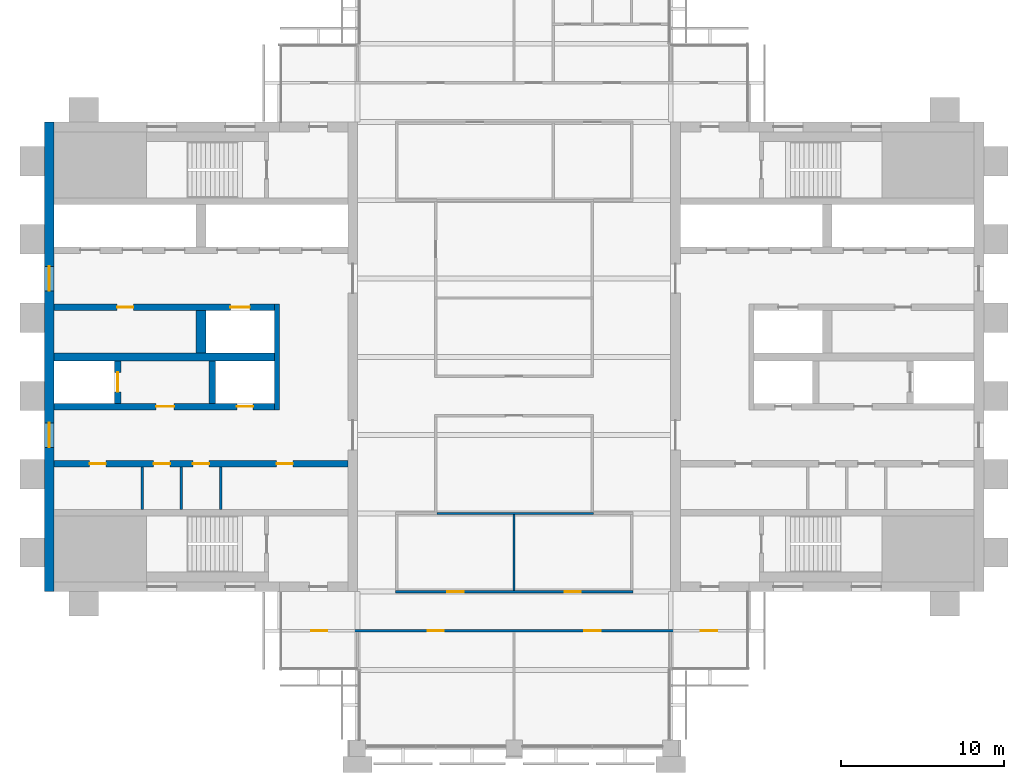
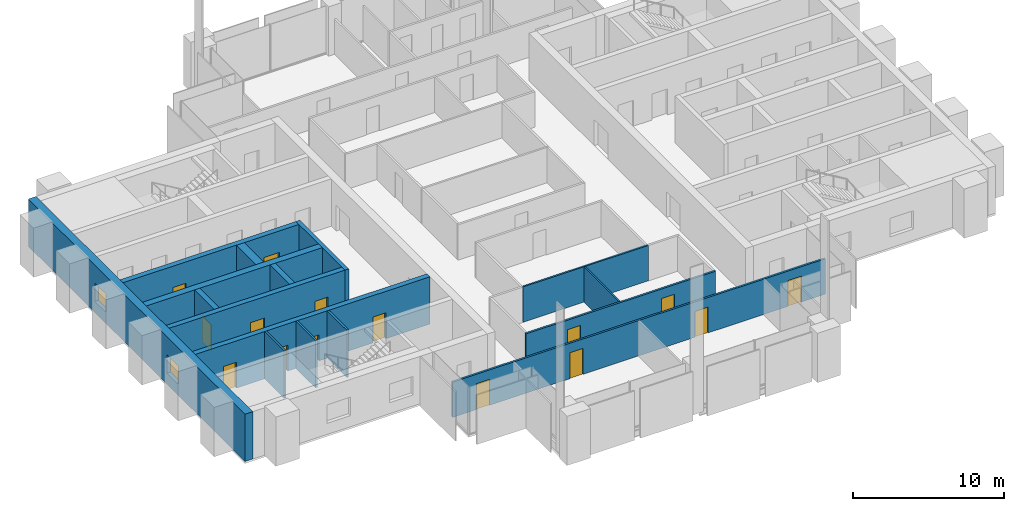
# One storey, part 8 of 13: 16 walls, 15 doors, 2 windows, 17 openings.
"""IFC4 building model written with IfcOpenShell, lengths in metres."""

import ifcopenshell
import ifcopenshell.guid

model = None  # the IFC model being written
_history = None  # IfcOwnerHistory: only IFC2X3 demands one
_inside = {}  # id of a spatial element -> (the spatial element, [elements in it])
_under = {}  # id of a project, library or spatial element -> (it, [spatial elements below it])
_declared = {}  # id of a project -> (the project, [libraries it declares])
_typed = {}  # id of a type object -> (the type object, [elements of that type])
_made_of = {}  # id of a material, layer set ... -> (it, [elements and type objects made of it])


def new_model(schema):
    """Start an empty IFC model of exactly this schema.

    Asked for "IFC4X3", IfcOpenShell would pick the latest addendum, in which some entities
    have other attributes; the version numbers below select the first issue.
    IFC2X3 requires an IfcOwnerHistory on every rooted entity: one is made here for all.
    """
    global model, _history
    if schema == "IFC4X3":
        model = ifcopenshell.file(schema_version=(4, 3, 0, 0))
    else:
        model = ifcopenshell.file(schema=schema)
    _inside.clear()
    _under.clear()
    _declared.clear()
    _typed.clear()
    _made_of.clear()
    _history = None
    if model.schema == "IFC2X3":
        org = make("IfcOrganization", Name="unknown")
        user = make(
            "IfcPersonAndOrganization",
            ThePerson=make("IfcPerson", FamilyName="unknown"),
            TheOrganization=org,
        )
        app = make(
            "IfcApplication",
            ApplicationDeveloper=org,
            Version="unknown",
            ApplicationFullName="unknown",
            ApplicationIdentifier="unknown",
        )
        _history = make(
            "IfcOwnerHistory",
            OwningUser=user,
            OwningApplication=app,
            ChangeAction="ADDED",
            CreationDate=0,
        )
    return model


def make(cls, **values):
    """One entity of the class cls with the attributes given. An attribute that is None is left unset."""
    return model.create_entity(
        cls, **{name: value for name, value in values.items() if value is not None}
    )


def rooted(cls, **values):
    """An entity with a GlobalId (a new one), such as an element, a storey or a relation."""
    return make(cls, GlobalId=ifcopenshell.guid.new(), OwnerHistory=_history, **values)


def si_unit(unit_type, name, prefix=None):
    """IfcSIUnit, for example si_unit("LENGTHUNIT", "METRE", prefix="MILLI")."""
    return make("IfcSIUnit", UnitType=unit_type, Prefix=prefix, Name=name)


def assignment(units):
    """IfcUnitAssignment: the units of a project."""
    return None if units is None else make("IfcUnitAssignment", Units=units)


def point(xyz):
    """IfcCartesianPoint."""
    return None if xyz is None else make("IfcCartesianPoint", Coordinates=xyz)


def direction(xyz):
    """IfcDirection."""
    return None if xyz is None else make("IfcDirection", DirectionRatios=xyz)


def frame(location, z_axis=None, x_axis=None):
    """IfcAxis2Placement3D, a coordinate frame: its origin and axes. An axis left out is left unset."""
    return make(
        "IfcAxis2Placement3D",
        Location=point(location),
        Axis=direction(z_axis),
        RefDirection=direction(x_axis),
    )


def frame_2d(location, x_axis=None):
    """IfcAxis2Placement2D, a coordinate frame in the plane: its origin and x axis."""
    return make(
        "IfcAxis2Placement2D", Location=point(location), RefDirection=direction(x_axis)
    )


def origin():
    """The frame at (0, 0, 0) with its axes left unset."""
    return frame((0.0, 0.0, 0.0))


def place(relative_to, where):
    """IfcLocalPlacement: puts the frame where relative to a parent placement (None: the world)."""
    return make(
        "IfcLocalPlacement", PlacementRelTo=relative_to, RelativePlacement=where
    )


def context(
    kind, dimensions, precision=None, world=None, true_north=None, identifier=None
):
    """IfcGeometricRepresentationContext, for example the 3D "Model" context."""
    return make(
        "IfcGeometricRepresentationContext",
        ContextIdentifier=identifier,
        ContextType=kind,
        CoordinateSpaceDimension=dimensions,
        Precision=precision,
        WorldCoordinateSystem=world,
        TrueNorth=true_north,
    )


def subcontext(parent, identifier, kind, view, scale=None):
    """IfcGeometricRepresentationSubContext, for example "Body" below "Model"."""
    return make(
        "IfcGeometricRepresentationSubContext",
        ContextIdentifier=identifier,
        ContextType=kind,
        ParentContext=parent,
        TargetScale=scale,
        TargetView=view,
    )


def project(units=None, contexts=None):
    """IfcProject with its units and contexts."""
    return rooted(
        "IfcProject",
        Name="project",
        RepresentationContexts=contexts,
        UnitsInContext=assignment(units),
    )


def spatial(cls, under=None, at=None, **own):
    """A site, building, storey or space (cls), placed at a placement, below another one or the project."""
    s = rooted(cls, ObjectPlacement=at, **own)
    if under is not None:
        _under.setdefault(under.id(), (under, []))[1].append(s)
    return s


def profile(cls, at=None, kind="AREA", **sizes):
    """A parametric profile (cls). Its sizes go by their IFC names, for example OverallWidth=200.0."""
    return make(cls, ProfileType=kind, Position=at, **sizes)


def rectangle(**sizes):
    """IfcRectangleProfileDef."""
    return profile("IfcRectangleProfileDef", **sizes)


def extrude(swept, where, along, depth):
    """IfcExtrudedAreaSolid: the profile swept, set in the frame where, extruded along a direction by depth."""
    return make(
        "IfcExtrudedAreaSolid",
        SweptArea=swept,
        Position=where,
        ExtrudedDirection=direction(along),
        Depth=depth,
    )


def shape(context_of_items, identifier, shape_type, items):
    """IfcShapeRepresentation: the items that make up one representation, for example the "Body"."""
    return make(
        "IfcShapeRepresentation",
        ContextOfItems=context_of_items,
        RepresentationIdentifier=identifier,
        RepresentationType=shape_type,
        Items=items,
    )


def material(Name=None, Category=None):
    """IfcMaterial."""
    return make("IfcMaterial", Name=Name, Category=Category)


def layer(
    of_material, thickness, ventilated=None, Name=None, Category=None, Priority=None
):
    """IfcMaterialLayer: one layer of a wall or slab, of a material (None: an air gap)."""
    return make(
        "IfcMaterialLayer",
        Material=of_material,
        LayerThickness=thickness,
        IsVentilated=ventilated,
        Name=Name,
        Category=Category,
        Priority=Priority,
    )


def layer_set(layers, Name=None):
    """IfcMaterialLayerSet."""
    return make("IfcMaterialLayerSet", MaterialLayers=layers, LayerSetName=Name)


def made_of(thing, what):
    """Note that an element or type object is made of a material, layer set ...; save() writes the relation."""
    if what is not None:
        _made_of.setdefault(what.id(), (what, []))[1].append(thing)
    return thing


def type_object(cls, material=None, **own):
    """A type object (cls), such as IfcWallType, which elements share."""
    return made_of(rooted(cls, **own), material)


def element(
    cls,
    number,
    at=None,
    inside=None,
    cuts=None,
    type_object=None,
    material=None,
    context=None,
    identifier="Body",
    shape_type=None,
    held_by="IfcProductDefinitionShape",
    body=None,
    shapes=None,
    **own,
):
    """One element of the class cls, such as IfcWall. Its Tag is "e" and its number.

    at: its placement. inside: the storey or other place that contains it. cuts: it is an
    opening in that element (IfcRelVoidsElement). A single representation is given by context,
    identifier, shape_type and body (its items); several are given by shapes. held_by: the class
    of the entity that holds the representations. save() writes the other relations.
    """
    e = rooted(cls, Tag="e%d" % number, ObjectPlacement=at, **own)
    if body is not None:
        shapes = [shape(context, identifier, shape_type, body)]
    if shapes is not None:
        e.Representation = make(held_by, Representations=shapes)
    if inside is not None:
        _inside.setdefault(inside.id(), (inside, []))[1].append(e)
    if cuts is not None:
        rooted(
            "IfcRelVoidsElement", RelatingBuildingElement=cuts, RelatedOpeningElement=e
        )
    if type_object is not None:
        _typed.setdefault(type_object.id(), (type_object, []))[1].append(e)
    return made_of(e, material)


def fill(opening, filler):
    """IfcRelFillsElement: the door or window that sits in an opening."""
    return rooted(
        "IfcRelFillsElement",
        RelatingOpeningElement=opening,
        RelatedBuildingElement=filler,
    )


def aggregate(whole, parts):
    """IfcRelAggregates: a whole, such as a stair, and the parts it consists of."""
    return rooted("IfcRelAggregates", RelatingObject=whole, RelatedObjects=parts)


def save(model, path):
    """Write the relations noted so far, then the file.

    IfcRelAggregates (storeys below a building ...), IfcRelContainedInSpatialStructure (elements
    in a storey), IfcRelDefinesByType, IfcRelAssociatesMaterial and IfcRelDeclares: one each for
    every whole, place, type object, material and project.
    """
    for whole, parts in _under.values():
        aggregate(whole, parts)
    for where, things in _inside.values():
        rooted(
            "IfcRelContainedInSpatialStructure",
            RelatedElements=things,
            RelatingStructure=where,
        )
    for kind, things in _typed.values():
        rooted("IfcRelDefinesByType", RelatedObjects=things, RelatingType=kind)
    for what, things in _made_of.values():
        rooted("IfcRelAssociatesMaterial", RelatedObjects=things, RelatingMaterial=what)
    for by, libraries in _declared.values():
        rooted("IfcRelDeclares", RelatingContext=by, RelatedDefinitions=libraries)
    model.write(path)


model = new_model("IFC4")

# Units and contexts
model_context = context("Model", 3, precision=1e-05, world=origin(), true_north=direction((0.0, 1.0)))
body_context = subcontext(model_context, "Body", "Model", "MODEL_VIEW")
ifc_project = project(units=[si_unit("LENGTHUNIT", "METRE"), si_unit("AREAUNIT", "SQUARE_METRE"), si_unit("VOLUMEUNIT", "CUBIC_METRE"), si_unit("PLANEANGLEUNIT", "RADIAN"), si_unit("MASSUNIT", "GRAM", prefix="KILO")], contexts=[model_context])

# Site, building, storey
site_placement = place(None, origin())
site = spatial("IfcSite", under=ifc_project, at=site_placement, CompositionType="ELEMENT")
building_placement = place(site_placement, origin())
building = spatial("IfcBuilding", under=site, at=building_placement, Name="Baori Bourse Tower", CompositionType="ELEMENT")
storey_placement = place(building_placement, frame((0.0, 0.0, 318.300048828125)))
storey = spatial("IfcBuildingStorey", under=building, at=storey_placement, Name="L70", CompositionType="ELEMENT", Elevation=318.300048828125)

# Walls
ifc_material_1 = material(Name="Blockwork partition", Category="masonry")
ifc_layer_1 = layer(ifc_material_1, 0.14990234375)
ifc_layer_set_1 = layer_set([ifc_layer_1], Name="Core partition 150")
wall_type_1 = type_object("IfcWallType", Name="Core partition 150", PredefinedType="PARTITIONING", material=ifc_layer_set_1)
for number, where, z_axis, x_axis, name in (
    (1, (6.0, 14.64990234375, 0.0), (0.0, 0.0, 1.0), (0.0, 1.0, 0.0), "Partition wall W09"),
    (2, (8.39990234375, 14.64990234375, 0.0), (0.0, 0.0, 1.0), (0.0, 1.0, 0.0), "Partition wall W10"),
    (3, (10.800048828125, 14.64990234375, 0.0), (0.0, 0.0, 1.0), (0.0, 1.0, 0.0), "Partition wall W11"),
):
    element("IfcWall", number, at=place(storey_placement, frame(where, z_axis=z_axis, x_axis=x_axis)), inside=storey, type_object=wall_type_1, Name=name, PredefinedType="PARTITIONING", context=body_context, shape_type="SweptSolid", body=[
        extrude(rectangle(XDim=2.60009765625, YDim=0.14990234375, at=frame_2d((1.300048828125, 0.0))), origin(), (0.0, 0.0, 1.0), 3.83984375),
    ])

# Wall, openings, windows
ifc_material_2 = material(Name="Concrete f'c 40 MPa", Category="concrete")
ifc_layer_2 = layer(ifc_material_2, 0.60009765625)
ifc_layer_set_2 = layer_set([ifc_layer_2], Name="Core wall 600 f'c 40")
wall_type_2 = type_object("IfcWallType", Name="Core wall 600 f'c 40", PredefinedType="SHEAR", material=ifc_layer_set_2)
wall_1_placement = place(storey_placement, frame((0.300048828125, 9.60009765625, 0.0), z_axis=(0.0, 0.0, 1.0), x_axis=(0.0, 1.0, 0.0)))
wall_1 = element("IfcWall", 4, at=wall_1_placement, inside=storey, type_object=wall_type_2, Name="Core wall W01", PredefinedType="SHEAR", context=body_context, shape_type="SweptSolid", body=[
    extrude(rectangle(XDim=28.7998046875, YDim=0.60009765625, at=frame_2d((14.39990234375, 0.0))), origin(), (0.0, 0.0, 1.0), 3.83984375),
])
opening_1_placement = place(wall_1_placement, frame((8.85009765625, 0.0, 0.89990234375)))
opening_1 = element("IfcOpeningElement", 5, at=opening_1_placement, cuts=wall_1, Name="Opening L70-KW101", PredefinedType="OPENING", context=body_context, shape_type="SweptSolid", body=[
    extrude(rectangle(XDim=1.5, YDim=1.5, at=frame_2d((0.75, 0.75))), frame((0.0, 0.31005859375, 0.0), z_axis=(0.0, -1.0, 0.0), x_axis=(1.0, 0.0, 0.0)), (0.0, 0.0, 1.0), 0.6201171875),
])
opening_2_placement = place(wall_1_placement, frame((18.449951171875, 0.0, 0.89990234375)))
opening_2 = element("IfcOpeningElement", 6, at=opening_2_placement, cuts=wall_1, Name="Opening L70-KW102", PredefinedType="OPENING", context=body_context, shape_type="SweptSolid", body=[
    extrude(rectangle(XDim=1.5, YDim=1.5, at=frame_2d((0.75, 0.75))), frame((0.0, 0.31005859375, 0.0), z_axis=(0.0, -1.0, 0.0), x_axis=(1.0, 0.0, 0.0)), (0.0, 0.0, 1.0), 0.6201171875),
])
ifc_material_3 = material(Name="Pale anodised aluminium", Category="aluminium")
window_type = type_object("IfcWindowType", Name="Lobby window 1500 x 1500", PartitioningType="SINGLE_PANEL", PredefinedType="WINDOW", material=ifc_material_3)
window_1_placement = place(opening_1_placement, origin())
window_1 = element("IfcWindow", 7, at=window_1_placement, inside=storey, type_object=window_type, Name="Outer wall window W L70 1", OverallHeight=1.5, OverallWidth=1.5, PartitioningType="SINGLE_PANEL", PredefinedType="WINDOW", context=body_context, shape_type="SweptSolid", body=[
    extrude(rectangle(XDim=1.5, YDim=1.5, at=frame_2d((0.75, 0.75))), frame((0.0, 0.030029296875, 0.0), z_axis=(0.0, -1.0, 0.0), x_axis=(1.0, 0.0, 0.0)), (0.0, 0.0, 1.0), 0.06005859375),
])
fill(opening_1, window_1)
window_2_placement = place(opening_2_placement, origin())
window_2 = element("IfcWindow", 8, at=window_2_placement, inside=storey, type_object=window_type, Name="Outer wall window W L70 2", OverallHeight=1.5, OverallWidth=1.5, PartitioningType="SINGLE_PANEL", PredefinedType="WINDOW", context=body_context, shape_type="SweptSolid", body=[
    extrude(rectangle(XDim=1.5, YDim=1.5, at=frame_2d((0.75, 0.75))), frame((0.0, 0.030029296875, 0.0), z_axis=(0.0, -1.0, 0.0), x_axis=(1.0, 0.0, 0.0)), (0.0, 0.0, 1.0), 0.06005859375),
])
fill(opening_2, window_2)

# Wall, openings, doors
ifc_material_4 = material(Name="Gypsum board partition")
ifc_layer_3 = layer(ifc_material_4, 0.14990234375)
ifc_layer_set_3 = layer_set([ifc_layer_3], Name="Corridor partition 150")
wall_type_3 = type_object("IfcWallType", Name="Corridor partition 150", PredefinedType="PARTITIONING", material=ifc_layer_set_3)
wall_2_placement = place(storey_placement, frame((14.5, 7.199951171875, 0.0), z_axis=(0.0, 0.0, 1.0), x_axis=(1.0, 0.0, 0.0)))
wall_2 = element("IfcWall", 9, at=wall_2_placement, inside=storey, type_object=wall_type_3, Name="Partition", PredefinedType="PARTITIONING", context=body_context, shape_type="SweptSolid", body=[
    extrude(rectangle(XDim=28.60009765625, YDim=0.14990234375, at=frame_2d((14.300048828125, 0.0))), origin(), (0.0, 0.0, 1.0), 2.86962890625),
])
opening_3_placement = place(wall_2_placement, frame((1.85009765625, 0.0, 0.0)))
opening_3 = element("IfcOpeningElement", 10, at=opening_3_placement, cuts=wall_2, Name="Opening L70-D01", PredefinedType="OPENING", context=body_context, shape_type="SweptSolid", body=[
    extrude(rectangle(XDim=1.0, YDim=2.10009765625, at=frame_2d((0.5, 1.050048828125))), frame((0.0, 0.0849609375, 0.0), z_axis=(0.0, -1.0, 0.0), x_axis=(1.0, 0.0, 0.0)), (0.0, 0.0, 1.0), 0.169921875),
])
opening_4_placement = place(wall_2_placement, frame((9.0, 0.0, 0.0)))
opening_4 = element("IfcOpeningElement", 11, at=opening_4_placement, cuts=wall_2, Name="Opening L70-D02", PredefinedType="OPENING", context=body_context, shape_type="SweptSolid", body=[
    extrude(rectangle(XDim=1.0, YDim=2.10009765625, at=frame_2d((0.5, 1.050048828125))), frame((0.0, 0.0849609375, 0.0), z_axis=(0.0, -1.0, 0.0), x_axis=(1.0, 0.0, 0.0)), (0.0, 0.0, 1.0), 0.169921875),
])
opening_5_placement = place(wall_2_placement, frame((18.60009765625, 0.0, 0.0)))
opening_5 = element("IfcOpeningElement", 12, at=opening_5_placement, cuts=wall_2, Name="Opening L70-D03", PredefinedType="OPENING", context=body_context, shape_type="SweptSolid", body=[
    extrude(rectangle(XDim=1.0, YDim=2.10009765625, at=frame_2d((0.5, 1.050048828125))), frame((0.0, 0.0849609375, 0.0), z_axis=(0.0, -1.0, 0.0), x_axis=(1.0, 0.0, 0.0)), (0.0, 0.0, 1.0), 0.169921875),
])
opening_6_placement = place(wall_2_placement, frame((25.75, 0.0, 0.0)))
opening_6 = element("IfcOpeningElement", 13, at=opening_6_placement, cuts=wall_2, Name="Opening L70-D04", PredefinedType="OPENING", context=body_context, shape_type="SweptSolid", body=[
    extrude(rectangle(XDim=1.0, YDim=2.10009765625, at=frame_2d((0.5, 1.050048828125))), frame((0.0, 0.0849609375, 0.0), z_axis=(0.0, -1.0, 0.0), x_axis=(1.0, 0.0, 0.0)), (0.0, 0.0, 1.0), 0.169921875),
])
ifc_material_5 = material(Name="Timber door leaf", Category="wood")
door_type_1 = type_object("IfcDoorType", Name="Door 1000 x 2100", OperationType="SINGLE_SWING_LEFT", PredefinedType="DOOR", material=ifc_material_5)
door_1_placement = place(opening_3_placement, origin())
door_1 = element("IfcDoor", 14, at=door_1_placement, inside=storey, type_object=door_type_1, Name="Door", OperationType="SINGLE_SWING_LEFT", OverallHeight=2.10009765625, OverallWidth=1.0, PredefinedType="DOOR", context=body_context, shape_type="SweptSolid", body=[
    extrude(rectangle(XDim=1.0, YDim=2.10009765625, at=frame_2d((0.5, 1.050048828125))), frame((0.0, 0.02490234375, 0.0), z_axis=(0.0, -1.0, 0.0), x_axis=(1.0, 0.0, 0.0)), (0.0, 0.0, 1.0), 0.050048828125),
])
fill(opening_3, door_1)
door_2_placement = place(opening_4_placement, origin())
door_2 = element("IfcDoor", 15, at=door_2_placement, inside=storey, type_object=door_type_1, Name="Door", OperationType="SINGLE_SWING_LEFT", OverallHeight=2.10009765625, OverallWidth=1.0, PredefinedType="DOOR", context=body_context, shape_type="SweptSolid", body=[
    extrude(rectangle(XDim=1.0, YDim=2.10009765625, at=frame_2d((0.5, 1.050048828125))), frame((0.0, 0.02490234375, 0.0), z_axis=(0.0, -1.0, 0.0), x_axis=(1.0, 0.0, 0.0)), (0.0, 0.0, 1.0), 0.050048828125),
])
fill(opening_4, door_2)
door_3_placement = place(opening_5_placement, origin())
door_3 = element("IfcDoor", 16, at=door_3_placement, inside=storey, type_object=door_type_1, Name="Door", OperationType="SINGLE_SWING_RIGHT", OverallHeight=2.10009765625, OverallWidth=1.0, PredefinedType="DOOR", context=body_context, shape_type="SweptSolid", body=[
    extrude(rectangle(XDim=1.0, YDim=2.10009765625, at=frame_2d((0.5, 1.050048828125))), frame((0.0, 0.02490234375, 0.0), z_axis=(0.0, -1.0, 0.0), x_axis=(1.0, 0.0, 0.0)), (0.0, 0.0, 1.0), 0.050048828125),
])
fill(opening_5, door_3)
door_4_placement = place(opening_6_placement, origin())
door_4 = element("IfcDoor", 17, at=door_4_placement, inside=storey, type_object=door_type_1, Name="Door", OperationType="SINGLE_SWING_RIGHT", OverallHeight=2.10009765625, OverallWidth=1.0, PredefinedType="DOOR", context=body_context, shape_type="SweptSolid", body=[
    extrude(rectangle(XDim=1.0, YDim=2.10009765625, at=frame_2d((0.5, 1.050048828125))), frame((0.0, 0.02490234375, 0.0), z_axis=(0.0, -1.0, 0.0), x_axis=(1.0, 0.0, 0.0)), (0.0, 0.0, 1.0), 0.050048828125),
])
fill(opening_6, door_4)

wall_3_placement = place(storey_placement, frame((21.52490234375, 9.60009765625, 0.0), z_axis=(0.0, 0.0, 1.0), x_axis=(1.0, 0.0, 0.0)))
wall_3 = element("IfcWall", 18, at=wall_3_placement, inside=storey, type_object=wall_type_3, Name="Partition", PredefinedType="PARTITIONING", context=body_context, shape_type="SweptSolid", body=[
    extrude(rectangle(XDim=14.550048828125, YDim=0.14990234375, at=frame_2d((7.27490234375, 0.0))), origin(), (0.0, 0.0, 1.0), 2.86962890625),
])
opening_7_placement = place(wall_3_placement, frame((3.175048828125, 0.0, 0.0)))
opening_7 = element("IfcOpeningElement", 19, at=opening_7_placement, cuts=wall_3, Name="Opening L70-D05", PredefinedType="OPENING", context=body_context, shape_type="SweptSolid", body=[
    extrude(rectangle(XDim=1.0, YDim=2.10009765625, at=frame_2d((0.5, 1.050048828125))), frame((0.0, 0.0849609375, 0.0), z_axis=(0.0, -1.0, 0.0), x_axis=(1.0, 0.0, 0.0)), (0.0, 0.0, 1.0), 0.169921875),
])
opening_8_placement = place(wall_3_placement, frame((10.375, 0.0, 0.0)))
opening_8 = element("IfcOpeningElement", 20, at=opening_8_placement, cuts=wall_3, Name="Opening L70-D06", PredefinedType="OPENING", context=body_context, shape_type="SweptSolid", body=[
    extrude(rectangle(XDim=1.0, YDim=2.10009765625, at=frame_2d((0.5, 1.050048828125))), frame((0.0, 0.0849609375, 0.0), z_axis=(0.0, -1.0, 0.0), x_axis=(1.0, 0.0, 0.0)), (0.0, 0.0, 1.0), 0.169921875),
])
door_5_placement = place(opening_7_placement, origin())
door_5 = element("IfcDoor", 21, at=door_5_placement, inside=storey, type_object=door_type_1, Name="Door", OperationType="SINGLE_SWING_RIGHT", OverallHeight=2.10009765625, OverallWidth=1.0, PredefinedType="DOOR", context=body_context, shape_type="SweptSolid", body=[
    extrude(rectangle(XDim=1.0, YDim=2.10009765625, at=frame_2d((0.5, 1.050048828125))), frame((0.0, 0.02490234375, 0.0), z_axis=(0.0, -1.0, 0.0), x_axis=(1.0, 0.0, 0.0)), (0.0, 0.0, 1.0), 0.050048828125),
])
fill(opening_7, door_5)
door_6_placement = place(opening_8_placement, origin())
door_6 = element("IfcDoor", 22, at=door_6_placement, inside=storey, type_object=door_type_1, Name="Door", OperationType="SINGLE_SWING_LEFT", OverallHeight=2.10009765625, OverallWidth=1.0, PredefinedType="DOOR", context=body_context, shape_type="SweptSolid", body=[
    extrude(rectangle(XDim=1.0, YDim=2.10009765625, at=frame_2d((0.5, 1.050048828125))), frame((0.0, 0.02490234375, 0.0), z_axis=(0.0, -1.0, 0.0), x_axis=(1.0, 0.0, 0.0)), (0.0, 0.0, 1.0), 0.050048828125),
])
fill(opening_8, door_6)

# Walls
ifc_material_6 = material(Name="Gypsum board partition")
ifc_layer_4 = layer(ifc_material_6, 0.125)
ifc_layer_set_4 = layer_set([ifc_layer_4], Name="Partition 125")
wall_type_4 = type_object("IfcWallType", Name="Partition 125", PredefinedType="PARTITIONING", material=ifc_layer_set_4)
wall_4_placement = place(storey_placement, frame((24.074951171875, 14.39990234375, 0.0), z_axis=(0.0, 0.0, 1.0), x_axis=(1.0, 0.0, 0.0)))
element("IfcWall", 23, at=wall_4_placement, inside=storey, type_object=wall_type_4, Name="Partition", PredefinedType="PARTITIONING", context=body_context, shape_type="SweptSolid", body=[
    extrude(rectangle(XDim=9.60009765625, YDim=0.125, at=frame_2d((4.800048828125, 0.0))), origin(), (0.0, 0.0, 1.0), 2.86962890625),
])
wall_5_placement = place(storey_placement, frame((28.800048828125, 9.675048828125, 0.0), z_axis=(0.0, 0.0, 1.0), x_axis=(0.0, 1.0, 0.0)))
element("IfcWall", 24, at=wall_5_placement, inside=storey, type_object=wall_type_4, Name="Partition", PredefinedType="PARTITIONING", context=body_context, shape_type="SweptSolid", body=[
    extrude(rectangle(XDim=4.662353515625, YDim=0.125, at=frame_2d((2.3310546875, 0.0))), origin(), (0.0, 0.0, 1.0), 2.86962890625),
])
ifc_material_7 = material(Name="Concrete f'c 40 MPa", Category="concrete")
ifc_layer_5 = layer(ifc_material_7, 0.300048828125)
ifc_layer_set_5 = layer_set([ifc_layer_5], Name="Shaft wall 300 f'c 40")
wall_type_5 = type_object("IfcWallType", Name="Shaft wall 300 f'c 40", PredefinedType="SHEAR", material=ifc_layer_set_5)
wall_6_placement = place(storey_placement, frame((14.25, 20.75, 0.0), z_axis=(0.0, 0.0, 1.0), x_axis=(0.0, 1.0, 0.0)))
element("IfcWall", 25, at=wall_6_placement, inside=storey, type_object=wall_type_5, Name="Core wall W14", PredefinedType="SHEAR", context=body_context, shape_type="SweptSolid", body=[
    extrude(rectangle(XDim=6.5, YDim=0.300048828125, at=frame_2d((3.25, 0.0))), origin(), (0.0, 0.0, 1.0), 3.83984375),
])

# Wall, openings, doors
ifc_material_8 = material(Name="Concrete f'c 40 MPa", Category="concrete")
ifc_layer_6 = layer(ifc_material_8, 0.39990234375)
ifc_layer_set_6 = layer_set([ifc_layer_6], Name="Shaft wall 400 f'c 40")
wall_type_6 = type_object("IfcWallType", Name="Shaft wall 400 f'c 40", PredefinedType="SHEAR", material=ifc_layer_set_6)
wall_7_placement = place(storey_placement, frame((0.60009765625, 17.449951171875, 0.0), z_axis=(0.0, 0.0, 1.0), x_axis=(1.0, 0.0, 0.0)))
wall_7 = element("IfcWall", 26, at=wall_7_placement, inside=storey, type_object=wall_type_6, Name="Core wall W12", PredefinedType="SHEAR", context=body_context, shape_type="SweptSolid", body=[
    extrude(rectangle(XDim=18.0, YDim=0.39990234375, at=frame_2d((9.0, 0.0))), origin(), (0.0, 0.0, 1.0), 3.83984375),
])
opening_9_placement = place(wall_7_placement, frame((2.16259765625, 0.0, 0.0)))
opening_9 = element("IfcOpeningElement", 27, at=opening_9_placement, cuts=wall_7, Name="Opening L70-D109", PredefinedType="OPENING", context=body_context, shape_type="SweptSolid", body=[
    extrude(rectangle(XDim=1.0, YDim=2.10009765625, at=frame_2d((0.5, 1.050048828125))), frame((0.0, 0.2099609375, 0.0), z_axis=(0.0, -1.0, 0.0), x_axis=(1.0, 0.0, 0.0)), (0.0, 0.0, 1.0), 0.419921875),
])
opening_10_placement = place(wall_7_placement, frame((6.10009765625, 0.0, 0.0)))
opening_10 = element("IfcOpeningElement", 28, at=opening_10_placement, cuts=wall_7, Name="Opening L70-D110", PredefinedType="OPENING", context=body_context, shape_type="SweptSolid", body=[
    extrude(rectangle(XDim=1.0, YDim=2.10009765625, at=frame_2d((0.5, 1.050048828125))), frame((0.0, 0.2099609375, 0.0), z_axis=(0.0, -1.0, 0.0), x_axis=(1.0, 0.0, 0.0)), (0.0, 0.0, 1.0), 0.419921875),
])
opening_11_placement = place(wall_7_placement, frame((8.5, 0.0, 0.0)))
opening_11 = element("IfcOpeningElement", 29, at=opening_11_placement, cuts=wall_7, Name="Opening L70-D111", PredefinedType="OPENING", context=body_context, shape_type="SweptSolid", body=[
    extrude(rectangle(XDim=1.0, YDim=2.10009765625, at=frame_2d((0.5, 1.050048828125))), frame((0.0, 0.2099609375, 0.0), z_axis=(0.0, -1.0, 0.0), x_axis=(1.0, 0.0, 0.0)), (0.0, 0.0, 1.0), 0.419921875),
])
opening_12_placement = place(wall_7_placement, frame((13.637451171875, 0.0, 0.0)))
opening_12 = element("IfcOpeningElement", 30, at=opening_12_placement, cuts=wall_7, Name="Opening L70-D112", PredefinedType="OPENING", context=body_context, shape_type="SweptSolid", body=[
    extrude(rectangle(XDim=1.0, YDim=2.10009765625, at=frame_2d((0.5, 1.050048828125))), frame((0.0, 0.2099609375, 0.0), z_axis=(0.0, -1.0, 0.0), x_axis=(1.0, 0.0, 0.0)), (0.0, 0.0, 1.0), 0.419921875),
])
ifc_material_9 = material(Name="Painted steel door", Category="steel")
door_type_2 = type_object("IfcDoorType", Name="Core door 1000", OperationType="SINGLE_SWING_LEFT", PredefinedType="DOOR", material=ifc_material_9)
door_7_placement = place(opening_9_placement, origin())
door_7 = element("IfcDoor", 31, at=door_7_placement, inside=storey, type_object=door_type_2, Name="Women'S Wc door W L70", OperationType="SINGLE_SWING_LEFT", OverallHeight=2.10009765625, OverallWidth=1.0, PredefinedType="DOOR", context=body_context, shape_type="SweptSolid", body=[
    extrude(rectangle(XDim=1.0, YDim=2.10009765625, at=frame_2d((0.5, 1.050048828125))), frame((0.0, 0.02490234375, 0.0), z_axis=(0.0, -1.0, 0.0), x_axis=(1.0, 0.0, 0.0)), (0.0, 0.0, 1.0), 0.050048828125),
])
fill(opening_9, door_7)
door_8_placement = place(opening_10_placement, origin())
door_8 = element("IfcDoor", 32, at=door_8_placement, inside=storey, type_object=door_type_2, Name="Accessible Wc door W L70", OperationType="SINGLE_SWING_LEFT", OverallHeight=2.10009765625, OverallWidth=1.0, PredefinedType="DOOR", context=body_context, shape_type="SweptSolid", body=[
    extrude(rectangle(XDim=1.0, YDim=2.10009765625, at=frame_2d((0.5, 1.050048828125))), frame((0.0, 0.02490234375, 0.0), z_axis=(0.0, -1.0, 0.0), x_axis=(1.0, 0.0, 0.0)), (0.0, 0.0, 1.0), 0.050048828125),
])
fill(opening_10, door_8)
door_9_placement = place(opening_12_placement, origin())
door_9 = element("IfcDoor", 33, at=door_9_placement, inside=storey, type_object=door_type_2, Name="Men'S Wc door W L70", OperationType="SINGLE_SWING_LEFT", OverallHeight=2.10009765625, OverallWidth=1.0, PredefinedType="DOOR", context=body_context, shape_type="SweptSolid", body=[
    extrude(rectangle(XDim=1.0, YDim=2.10009765625, at=frame_2d((0.5, 1.050048828125))), frame((0.0, 0.02490234375, 0.0), z_axis=(0.0, -1.0, 0.0), x_axis=(1.0, 0.0, 0.0)), (0.0, 0.0, 1.0), 0.050048828125),
])
fill(opening_12, door_9)
ifc_material_10 = material(Name="Painted steel door", Category="steel")
door_type_3 = type_object("IfcDoorType", Name="Plant room door 1000", OperationType="SINGLE_SWING_LEFT", PredefinedType="DOOR", material=ifc_material_10)
door_10_placement = place(opening_11_placement, origin())
door_10 = element("IfcDoor", 34, at=door_10_placement, inside=storey, type_object=door_type_3, Name="Plumbing Equipment Room door W L70", OperationType="SINGLE_SWING_LEFT", OverallHeight=2.10009765625, OverallWidth=1.0, PredefinedType="DOOR", context=body_context, shape_type="SweptSolid", body=[
    extrude(rectangle(XDim=1.0, YDim=2.10009765625, at=frame_2d((0.5, 1.050048828125))), frame((0.0, 0.02490234375, 0.0), z_axis=(0.0, -1.0, 0.0), x_axis=(1.0, 0.0, 0.0)), (0.0, 0.0, 1.0), 0.050048828125),
])
fill(opening_11, door_10)

wall_8_placement = place(storey_placement, frame((0.60009765625, 20.949951171875, 0.0), z_axis=(0.0, 0.0, 1.0), x_axis=(1.0, 0.0, 0.0)))
wall_8 = element("IfcWall", 35, at=wall_8_placement, inside=storey, type_object=wall_type_6, Name="Core wall W13", PredefinedType="SHEAR", context=body_context, shape_type="SweptSolid", body=[
    extrude(rectangle(XDim=13.5, YDim=0.39990234375, at=frame_2d((6.75, 0.0))), origin(), (0.0, 0.0, 1.0), 3.83984375),
])
opening_13_placement = place(wall_8_placement, frame((6.25, 0.0, 0.0)))
opening_13 = element("IfcOpeningElement", 36, at=opening_13_placement, cuts=wall_8, Name="Opening L70-D105", PredefinedType="OPENING", context=body_context, shape_type="SweptSolid", body=[
    extrude(rectangle(XDim=1.10009765625, YDim=2.10009765625, at=frame_2d((0.550048828125, 1.050048828125))), frame((0.0, 0.2099609375, 0.0), z_axis=(0.0, -1.0, 0.0), x_axis=(1.0, 0.0, 0.0)), (0.0, 0.0, 1.0), 0.419921875),
])
opening_14_placement = place(wall_8_placement, frame((11.199951171875, 0.0, 0.0)))
opening_14 = element("IfcOpeningElement", 37, at=opening_14_placement, cuts=wall_8, Name="Opening L70-D106", PredefinedType="OPENING", context=body_context, shape_type="SweptSolid", body=[
    extrude(rectangle(XDim=1.0, YDim=2.10009765625, at=frame_2d((0.5, 1.050048828125))), frame((0.0, 0.2099609375, 0.0), z_axis=(0.0, -1.0, 0.0), x_axis=(1.0, 0.0, 0.0)), (0.0, 0.0, 1.0), 0.419921875),
])
ifc_material_11 = material(Name="Painted steel door", Category="steel")
door_type_4 = type_object("IfcDoorType", Name="Lobby door 1100", OperationType="SINGLE_SWING_LEFT", PredefinedType="DOOR", material=ifc_material_11)
door_11_placement = place(opening_13_placement, origin())
door_11 = element("IfcDoor", 38, at=door_11_placement, inside=storey, type_object=door_type_4, Name="Firefighting lobby door W L70", OperationType="SINGLE_SWING_LEFT", OverallHeight=2.10009765625, OverallWidth=1.10009765625, PredefinedType="DOOR", context=body_context, shape_type="SweptSolid", body=[
    extrude(rectangle(XDim=1.10009765625, YDim=2.10009765625, at=frame_2d((0.550048828125, 1.050048828125))), frame((0.0, 0.02490234375, 0.0), z_axis=(0.0, -1.0, 0.0), x_axis=(1.0, 0.0, 0.0)), (0.0, 0.0, 1.0), 0.050048828125),
])
fill(opening_13, door_11)
ifc_material_12 = material(Name="Painted steel door", Category="steel")
door_type_5 = type_object("IfcDoorType", Name="Shaft door 1000", OperationType="SINGLE_SWING_LEFT", PredefinedType="DOOR", material=ifc_material_12)
door_12_placement = place(opening_14_placement, origin())
door_12 = element("IfcDoor", 39, at=door_12_placement, inside=storey, type_object=door_type_5, Name="Riser room door W L70", OperationType="SINGLE_SWING_LEFT", OverallHeight=2.10009765625, OverallWidth=1.0, PredefinedType="DOOR", context=body_context, shape_type="SweptSolid", body=[
    extrude(rectangle(XDim=1.0, YDim=2.10009765625, at=frame_2d((0.5, 1.050048828125))), frame((0.0, 0.02490234375, 0.0), z_axis=(0.0, -1.0, 0.0), x_axis=(1.0, 0.0, 0.0)), (0.0, 0.0, 1.0), 0.050048828125),
])
fill(opening_14, door_12)

# Wall, opening, door
wall_9_placement = place(storey_placement, frame((4.5, 21.14990234375, 0.0), z_axis=(0.0, 0.0, 1.0), x_axis=(0.0, 1.0, 0.0)))
wall_9 = element("IfcWall", 40, at=wall_9_placement, inside=storey, type_object=wall_type_6, Name="Core wall W15", PredefinedType="SHEAR", context=body_context, shape_type="SweptSolid", body=[
    extrude(rectangle(XDim=2.60009765625, YDim=0.39990234375, at=frame_2d((1.300048828125, 0.0))), origin(), (0.0, 0.0, 1.0), 3.83984375),
])
opening_15_placement = place(wall_9_placement, frame((0.699951171875, 0.0, 0.0)))
opening_15 = element("IfcOpeningElement", 41, at=opening_15_placement, cuts=wall_9, Name="Opening L70-D121", PredefinedType="OPENING", context=body_context, shape_type="SweptSolid", body=[
    extrude(rectangle(XDim=1.199951171875, YDim=2.10009765625, at=frame_2d((0.60009765625, 1.050048828125))), frame((0.0, 0.2099609375, 0.0), z_axis=(0.0, -1.0, 0.0), x_axis=(1.0, 0.0, 0.0)), (0.0, 0.0, 1.0), 0.419921875),
])
ifc_material_13 = material(Name="Stainless steel door", Category="steel")
door_type_6 = type_object("IfcDoorType", Name="Lift landing door", OperationType="DOUBLE_DOOR_SLIDING", PredefinedType="DOOR", material=ifc_material_13)
door_13_placement = place(opening_15_placement, origin())
door_13 = element("IfcDoor", 42, at=door_13_placement, inside=storey, type_object=door_type_6, Name="Lift landing door FF1 W L70", OperationType="DOUBLE_DOOR_SLIDING", OverallHeight=2.10009765625, OverallWidth=1.199951171875, PredefinedType="DOOR", context=body_context, shape_type="SweptSolid", body=[
    extrude(rectangle(XDim=1.199951171875, YDim=2.10009765625, at=frame_2d((0.60009765625, 1.050048828125))), frame((0.0, 0.02490234375, 0.0), z_axis=(0.0, -1.0, 0.0), x_axis=(1.0, 0.0, 0.0)), (0.0, 0.0, 1.0), 0.050048828125),
])
fill(opening_15, door_13)

# Wall
wall_10_placement = place(storey_placement, frame((10.300048828125, 21.14990234375, 0.0), z_axis=(0.0, 0.0, 1.0), x_axis=(0.0, 1.0, 0.0)))
element("IfcWall", 43, at=wall_10_placement, inside=storey, type_object=wall_type_6, Name="Core wall W16", PredefinedType="SHEAR", context=body_context, shape_type="SweptSolid", body=[
    extrude(rectangle(XDim=2.60009765625, YDim=0.39990234375, at=frame_2d((1.300048828125, 0.0))), origin(), (0.0, 0.0, 1.0), 3.83984375),
])

# Wall, openings, doors
wall_11_placement = place(storey_placement, frame((0.60009765625, 27.050048828125, 0.0), z_axis=(0.0, 0.0, 1.0), x_axis=(1.0, 0.0, 0.0)))
wall_11 = element("IfcWall", 44, at=wall_11_placement, inside=storey, type_object=wall_type_6, Name="Core wall W19", PredefinedType="SHEAR", context=body_context, shape_type="SweptSolid", body=[
    extrude(rectangle(XDim=13.5, YDim=0.39990234375, at=frame_2d((6.75, 0.0))), origin(), (0.0, 0.0, 1.0), 3.83984375),
])
opening_16_placement = place(wall_11_placement, frame((3.85009765625, 0.0, 0.0)))
opening_16 = element("IfcOpeningElement", 45, at=opening_16_placement, cuts=wall_11, Name="Opening L70-D113", PredefinedType="OPENING", context=body_context, shape_type="SweptSolid", body=[
    extrude(rectangle(XDim=1.0, YDim=2.10009765625, at=frame_2d((0.5, 1.050048828125))), frame((0.0, 0.2099609375, 0.0), z_axis=(0.0, -1.0, 0.0), x_axis=(1.0, 0.0, 0.0)), (0.0, 0.0, 1.0), 0.419921875),
])
opening_17_placement = place(wall_11_placement, frame((10.800048828125, 0.0, 0.0)))
opening_17 = element("IfcOpeningElement", 46, at=opening_17_placement, cuts=wall_11, Name="Opening L70-D120", PredefinedType="OPENING", context=body_context, shape_type="SweptSolid", body=[
    extrude(rectangle(XDim=1.199951171875, YDim=2.10009765625, at=frame_2d((0.60009765625, 1.050048828125))), frame((0.0, 0.2099609375, 0.0), z_axis=(0.0, -1.0, 0.0), x_axis=(1.0, 0.0, 0.0)), (0.0, 0.0, 1.0), 0.419921875),
])
door_14_placement = place(opening_16_placement, origin())
door_14 = element("IfcDoor", 47, at=door_14_placement, inside=storey, type_object=door_type_2, Name="Store Room door W L70", OperationType="SINGLE_SWING_LEFT", OverallHeight=2.10009765625, OverallWidth=1.0, PredefinedType="DOOR", context=body_context, shape_type="SweptSolid", body=[
    extrude(rectangle(XDim=1.0, YDim=2.10009765625, at=frame_2d((0.5, 1.050048828125))), frame((0.0, 0.02490234375, 0.0), z_axis=(0.0, -1.0, 0.0), x_axis=(1.0, 0.0, 0.0)), (0.0, 0.0, 1.0), 0.050048828125),
])
fill(opening_16, door_14)
door_15_placement = place(opening_17_placement, origin())
door_15 = element("IfcDoor", 48, at=door_15_placement, inside=storey, type_object=door_type_6, Name="Lift landing door SV1 W L70", OperationType="DOUBLE_DOOR_SLIDING", OverallHeight=2.10009765625, OverallWidth=1.199951171875, PredefinedType="DOOR", context=body_context, shape_type="SweptSolid", body=[
    extrude(rectangle(XDim=1.199951171875, YDim=2.10009765625, at=frame_2d((0.60009765625, 1.050048828125))), frame((0.0, 0.02490234375, 0.0), z_axis=(0.0, -1.0, 0.0), x_axis=(1.0, 0.0, 0.0)), (0.0, 0.0, 1.0), 0.050048828125),
])
fill(opening_17, door_15)

# Walls
ifc_material_14 = material(Name="Concrete f'c 40 MPa", Category="concrete")
ifc_layer_7 = layer(ifc_material_14, 0.5)
ifc_layer_set_7 = layer_set([ifc_layer_7], Name="Shaft wall 500 f'c 40")
wall_type_7 = type_object("IfcWallType", Name="Shaft wall 500 f'c 40", PredefinedType="SHEAR", material=ifc_layer_set_7)
wall_12_placement = place(storey_placement, frame((0.60009765625, 24.0, 0.0), z_axis=(0.0, 0.0, 1.0), x_axis=(1.0, 0.0, 0.0)))
element("IfcWall", 49, at=wall_12_placement, inside=storey, type_object=wall_type_7, Name="Core wall W17", PredefinedType="SHEAR", context=body_context, shape_type="SweptSolid", body=[
    extrude(rectangle(XDim=13.5, YDim=0.5, at=frame_2d((6.75, 0.0))), origin(), (0.0, 0.0, 1.0), 3.83984375),
])
ifc_material_15 = material(Name="Concrete f'c 40 MPa", Category="concrete")
ifc_layer_8 = layer(ifc_material_15, 0.60009765625)
ifc_layer_set_8 = layer_set([ifc_layer_8], Name="Shaft wall 600 f'c 40")
wall_type_8 = type_object("IfcWallType", Name="Shaft wall 600 f'c 40", PredefinedType="SHEAR", material=ifc_layer_set_8)
wall_13_placement = place(storey_placement, frame((9.60009765625, 24.25, 0.0), z_axis=(0.0, 0.0, 1.0), x_axis=(0.0, 1.0, 0.0)))
element("IfcWall", 50, at=wall_13_placement, inside=storey, type_object=wall_type_8, Name="Core wall W18", PredefinedType="SHEAR", context=body_context, shape_type="SweptSolid", body=[
    extrude(rectangle(XDim=2.60009765625, YDim=0.60009765625, at=frame_2d((1.300048828125, 0.0))), origin(), (0.0, 0.0, 1.0), 3.83984375),
])

save(model, "model.ifc")
